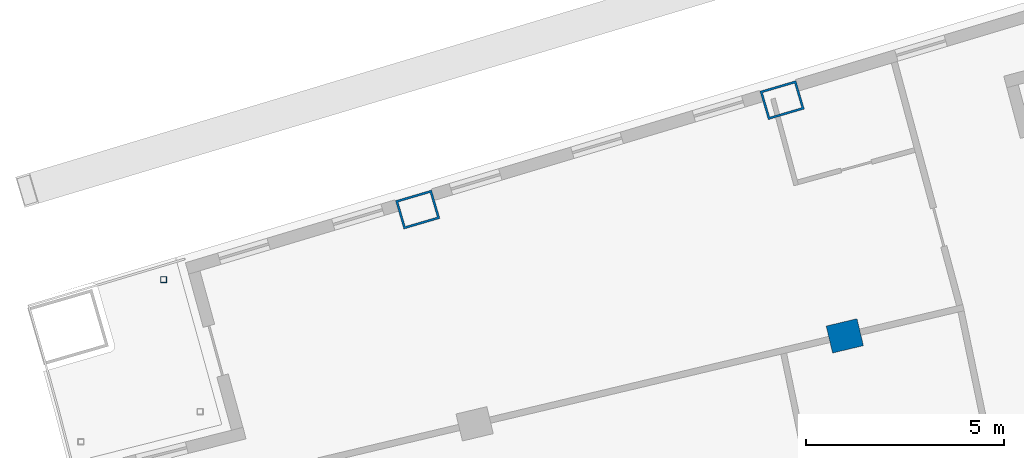
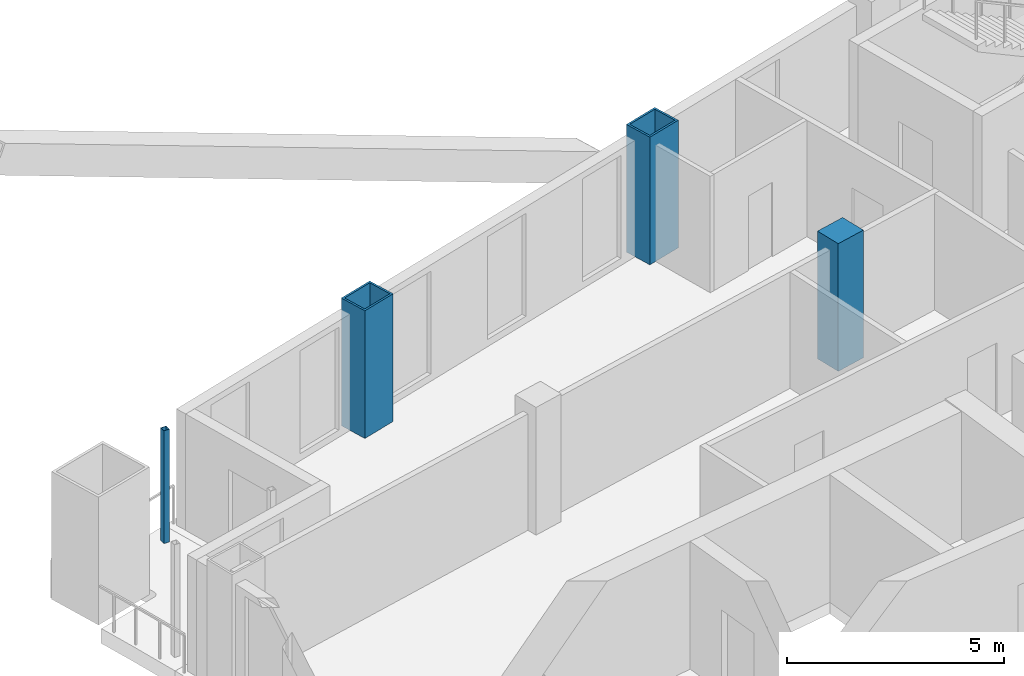
# One storey, part 7 of 19: 4 columns.
"""IFC4 building model written with IfcOpenShell, lengths in metres."""

import ifcopenshell
import ifcopenshell.guid

model = None  # the IFC model being written
_history = None  # IfcOwnerHistory: only IFC2X3 demands one
_inside = {}  # id of a spatial element -> (the spatial element, [elements in it])
_under = {}  # id of a project, library or spatial element -> (it, [spatial elements below it])
_declared = {}  # id of a project -> (the project, [libraries it declares])
_typed = {}  # id of a type object -> (the type object, [elements of that type])
_made_of = {}  # id of a material, layer set ... -> (it, [elements and type objects made of it])


def new_model(schema):
    """Start an empty IFC model of exactly this schema.

    Asked for "IFC4X3", IfcOpenShell would pick the latest addendum, in which some entities
    have other attributes; the version numbers below select the first issue.
    IFC2X3 requires an IfcOwnerHistory on every rooted entity: one is made here for all.
    """
    global model, _history
    if schema == "IFC4X3":
        model = ifcopenshell.file(schema_version=(4, 3, 0, 0))
    else:
        model = ifcopenshell.file(schema=schema)
    _inside.clear()
    _under.clear()
    _declared.clear()
    _typed.clear()
    _made_of.clear()
    _history = None
    if model.schema == "IFC2X3":
        org = make("IfcOrganization", Name="unknown")
        user = make(
            "IfcPersonAndOrganization",
            ThePerson=make("IfcPerson", FamilyName="unknown"),
            TheOrganization=org,
        )
        app = make(
            "IfcApplication",
            ApplicationDeveloper=org,
            Version="unknown",
            ApplicationFullName="unknown",
            ApplicationIdentifier="unknown",
        )
        _history = make(
            "IfcOwnerHistory",
            OwningUser=user,
            OwningApplication=app,
            ChangeAction="ADDED",
            CreationDate=0,
        )
    return model


def make(cls, **values):
    """One entity of the class cls with the attributes given. An attribute that is None is left unset."""
    return model.create_entity(
        cls, **{name: value for name, value in values.items() if value is not None}
    )


def rooted(cls, **values):
    """An entity with a GlobalId (a new one), such as an element, a storey or a relation."""
    return make(cls, GlobalId=ifcopenshell.guid.new(), OwnerHistory=_history, **values)


def si_unit(unit_type, name, prefix=None):
    """IfcSIUnit, for example si_unit("LENGTHUNIT", "METRE", prefix="MILLI")."""
    return make("IfcSIUnit", UnitType=unit_type, Prefix=prefix, Name=name)


def assignment(units):
    """IfcUnitAssignment: the units of a project."""
    return None if units is None else make("IfcUnitAssignment", Units=units)


def point(xyz):
    """IfcCartesianPoint."""
    return None if xyz is None else make("IfcCartesianPoint", Coordinates=xyz)


def direction(xyz):
    """IfcDirection."""
    return None if xyz is None else make("IfcDirection", DirectionRatios=xyz)


def frame(location, z_axis=None, x_axis=None):
    """IfcAxis2Placement3D, a coordinate frame: its origin and axes. An axis left out is left unset."""
    return make(
        "IfcAxis2Placement3D",
        Location=point(location),
        Axis=direction(z_axis),
        RefDirection=direction(x_axis),
    )


def frame_2d(location, x_axis=None):
    """IfcAxis2Placement2D, a coordinate frame in the plane: its origin and x axis."""
    return make(
        "IfcAxis2Placement2D", Location=point(location), RefDirection=direction(x_axis)
    )


def origin():
    """The frame at (0, 0, 0) with its axes left unset."""
    return frame((0.0, 0.0, 0.0))


def origin_2d():
    """The frame at (0, 0) in the plane with its x axis left unset."""
    return frame_2d((0.0, 0.0))


def place(relative_to, where):
    """IfcLocalPlacement: puts the frame where relative to a parent placement (None: the world)."""
    return make(
        "IfcLocalPlacement", PlacementRelTo=relative_to, RelativePlacement=where
    )


def context(
    kind, dimensions, precision=None, world=None, true_north=None, identifier=None
):
    """IfcGeometricRepresentationContext, for example the 3D "Model" context."""
    return make(
        "IfcGeometricRepresentationContext",
        ContextIdentifier=identifier,
        ContextType=kind,
        CoordinateSpaceDimension=dimensions,
        Precision=precision,
        WorldCoordinateSystem=world,
        TrueNorth=true_north,
    )


def subcontext(parent, identifier, kind, view, scale=None):
    """IfcGeometricRepresentationSubContext, for example "Body" below "Model"."""
    return make(
        "IfcGeometricRepresentationSubContext",
        ContextIdentifier=identifier,
        ContextType=kind,
        ParentContext=parent,
        TargetScale=scale,
        TargetView=view,
    )


def project(units=None, contexts=None):
    """IfcProject with its units and contexts."""
    return rooted(
        "IfcProject",
        Name="project",
        RepresentationContexts=contexts,
        UnitsInContext=assignment(units),
    )


def spatial(cls, under=None, at=None, **own):
    """A site, building, storey or space (cls), placed at a placement, below another one or the project."""
    s = rooted(cls, ObjectPlacement=at, **own)
    if under is not None:
        _under.setdefault(under.id(), (under, []))[1].append(s)
    return s


def profile(cls, at=None, kind="AREA", **sizes):
    """A parametric profile (cls). Its sizes go by their IFC names, for example OverallWidth=200.0."""
    return make(cls, ProfileType=kind, Position=at, **sizes)


def rectangle(**sizes):
    """IfcRectangleProfileDef."""
    return profile("IfcRectangleProfileDef", **sizes)


def hollow_rectangle(**sizes):
    """IfcRectangleHollowProfileDef."""
    return profile("IfcRectangleHollowProfileDef", **sizes)


def extrude(swept, where, along, depth):
    """IfcExtrudedAreaSolid: the profile swept, set in the frame where, extruded along a direction by depth."""
    return make(
        "IfcExtrudedAreaSolid",
        SweptArea=swept,
        Position=where,
        ExtrudedDirection=direction(along),
        Depth=depth,
    )


def shape(context_of_items, identifier, shape_type, items):
    """IfcShapeRepresentation: the items that make up one representation, for example the "Body"."""
    return make(
        "IfcShapeRepresentation",
        ContextOfItems=context_of_items,
        RepresentationIdentifier=identifier,
        RepresentationType=shape_type,
        Items=items,
    )


def material(Name=None, Category=None):
    """IfcMaterial."""
    return make("IfcMaterial", Name=Name, Category=Category)


def material_profile(
    of_material, cross_section, Name=None, Category=None, Priority=None
):
    """IfcMaterialProfile: a cross section and its material."""
    return make(
        "IfcMaterialProfile",
        Name=Name,
        Material=of_material,
        Profile=cross_section,
        Priority=Priority,
        Category=Category,
    )


def profile_set(profiles, Name=None, composite=None):
    """IfcMaterialProfileSet."""
    return make(
        "IfcMaterialProfileSet",
        Name=Name,
        MaterialProfiles=profiles,
        CompositeProfile=composite,
    )


def made_of(thing, what):
    """Note that an element or type object is made of a material, layer set ...; save() writes the relation."""
    if what is not None:
        _made_of.setdefault(what.id(), (what, []))[1].append(thing)
    return thing


def type_object(cls, material=None, **own):
    """A type object (cls), such as IfcWallType, which elements share."""
    return made_of(rooted(cls, **own), material)


def element(
    cls,
    number,
    at=None,
    inside=None,
    cuts=None,
    type_object=None,
    material=None,
    context=None,
    identifier="Body",
    shape_type=None,
    held_by="IfcProductDefinitionShape",
    body=None,
    shapes=None,
    **own,
):
    """One element of the class cls, such as IfcWall. Its Tag is "e" and its number.

    at: its placement. inside: the storey or other place that contains it. cuts: it is an
    opening in that element (IfcRelVoidsElement). A single representation is given by context,
    identifier, shape_type and body (its items); several are given by shapes. held_by: the class
    of the entity that holds the representations. save() writes the other relations.
    """
    e = rooted(cls, Tag="e%d" % number, ObjectPlacement=at, **own)
    if body is not None:
        shapes = [shape(context, identifier, shape_type, body)]
    if shapes is not None:
        e.Representation = make(held_by, Representations=shapes)
    if inside is not None:
        _inside.setdefault(inside.id(), (inside, []))[1].append(e)
    if cuts is not None:
        rooted(
            "IfcRelVoidsElement", RelatingBuildingElement=cuts, RelatedOpeningElement=e
        )
    if type_object is not None:
        _typed.setdefault(type_object.id(), (type_object, []))[1].append(e)
    return made_of(e, material)


def aggregate(whole, parts):
    """IfcRelAggregates: a whole, such as a stair, and the parts it consists of."""
    return rooted("IfcRelAggregates", RelatingObject=whole, RelatedObjects=parts)


def save(model, path):
    """Write the relations noted so far, then the file.

    IfcRelAggregates (storeys below a building ...), IfcRelContainedInSpatialStructure (elements
    in a storey), IfcRelDefinesByType, IfcRelAssociatesMaterial and IfcRelDeclares: one each for
    every whole, place, type object, material and project.
    """
    for whole, parts in _under.values():
        aggregate(whole, parts)
    for where, things in _inside.values():
        rooted(
            "IfcRelContainedInSpatialStructure",
            RelatedElements=things,
            RelatingStructure=where,
        )
    for kind, things in _typed.values():
        rooted("IfcRelDefinesByType", RelatedObjects=things, RelatingType=kind)
    for what, things in _made_of.values():
        rooted("IfcRelAssociatesMaterial", RelatedObjects=things, RelatingMaterial=what)
    for by, libraries in _declared.values():
        rooted("IfcRelDeclares", RelatingContext=by, RelatedDefinitions=libraries)
    model.write(path)


model = new_model("IFC4")

# Units and contexts
model_context = context("Model", 3, precision=1e-05, world=origin(), true_north=direction((0.0, 1.0)))
body_context = subcontext(model_context, "Body", "Model", "MODEL_VIEW")
ifc_project = project(units=[si_unit("LENGTHUNIT", "METRE"), si_unit("AREAUNIT", "SQUARE_METRE"), si_unit("VOLUMEUNIT", "CUBIC_METRE"), si_unit("PLANEANGLEUNIT", "RADIAN"), si_unit("MASSUNIT", "GRAM", prefix="KILO")], contexts=[model_context])

# Site, building, storey
site_placement = place(None, origin())
site = spatial("IfcSite", under=ifc_project, at=site_placement, CompositionType="ELEMENT")
building_placement = place(site_placement, origin())
building = spatial("IfcBuilding", under=site, at=building_placement, Name="Alderwake Tower", CompositionType="ELEMENT")
storey_placement = place(building_placement, frame((0.0, 0.0, 200.0)))
storey = spatial("IfcBuildingStorey", under=building, at=storey_placement, Name="L49", CompositionType="ELEMENT", Elevation=200.0)

# Columns
ifc_material_1 = material(Name="Steel ASTM A572 Grade 50 concrete filled C70/85", Category="concrete")
ifc_material_profile_1 = material_profile(ifc_material_1, hollow_rectangle(XDim=0.75, YDim=0.949951171875, WallThickness=0.054931640625, at=origin_2d()), Name="BOX 950X750X55")
ifc_profile_set_1 = profile_set([ifc_material_profile_1], Name="Steel ASTM A572 Grade 50 concrete filled C70/85")
column_type_1 = type_object("IfcColumnType", Name="End column Z4", PredefinedType="COLUMN", material=ifc_profile_set_1)
for number, where, z_axis, x_axis, name in (
    (1, (21.885498046875, 90.96240234375, 0.0), (0.0, 0.0, 1.0), (-0.282132160283, 0.95937554906, 0.0), "Column R12-C1"),
    (2, (31.080322265625, 93.72314453125, 0.0), (0.0, 0.0, 1.0), (-0.282582549822, 0.959242984095, 0.0), "Column R12-C2"),
):
    element("IfcColumn", number, at=place(storey_placement, frame(where, z_axis=z_axis, x_axis=x_axis)), inside=storey, type_object=column_type_1, Name=name, PredefinedType="COLUMN", context=body_context, shape_type="SweptSolid", body=[
        extrude(hollow_rectangle(XDim=0.75, YDim=0.949951171875, WallThickness=0.054931640625, at=origin_2d()), origin(), (0.0, 0.0, 1.0), 3.60009765625),
    ])
ifc_material_2 = material(Name="Concrete C70/85", Category="concrete")
ifc_material_profile_2 = material_profile(ifc_material_2, rectangle(XDim=0.699951171875, YDim=0.800048828125, at=origin_2d()), Name="RC 800X700")
ifc_profile_set_2 = profile_set([ifc_material_profile_2], Name="Concrete C70/85")
column_type_2 = type_object("IfcColumnType", Name="Interior column Z4", PredefinedType="COLUMN", material=ifc_profile_set_2)
column_1_placement = place(storey_placement, frame((32.661865234375, 87.775390625, 0.0), z_axis=(0.0, 0.0, 1.0), x_axis=(-0.231221547198, 0.972901123502, 0.0)))
element("IfcColumn", 3, at=column_1_placement, inside=storey, type_object=column_type_2, Name="Column R11-C2", PredefinedType="COLUMN", context=body_context, shape_type="SweptSolid", body=[
    extrude(rectangle(XDim=0.699951171875, YDim=0.800048828125, at=origin_2d()), origin(), (0.0, 0.0, 1.0), 3.60009765625),
])
ifc_material_3 = material(Name="Steel ASTM A500 Grade C", Category="steel")
ifc_material_profile_3 = material_profile(ifc_material_3, hollow_rectangle(XDim=0.15234375, YDim=0.15234375, WallThickness=0.0087890625, at=origin_2d()), Name="HSS6X6X3/8")
ifc_profile_set_3 = profile_set([ifc_material_profile_3], Name="Steel ASTM A500 Grade C")
column_type_3 = type_object("IfcColumnType", Name="Light post HSS6X6X3/8", PredefinedType="COLUMN", material=ifc_profile_set_3)
column_2_placement = place(storey_placement, frame((15.47412109375, 89.194091796875, 0.0), z_axis=(0.0, 0.0, 1.0), x_axis=(1.0, 0.0, 0.0)))
element("IfcColumn", 4, at=column_2_placement, inside=storey, type_object=column_type_3, Name="Terrace post RN2", PredefinedType="COLUMN", context=body_context, shape_type="SweptSolid", body=[
    extrude(hollow_rectangle(XDim=0.15234375, YDim=0.15234375, WallThickness=0.0087890625, at=origin_2d()), origin(), (0.0, 0.0, 1.0), 3.179931640625),
])

save(model, "model.ifc")
